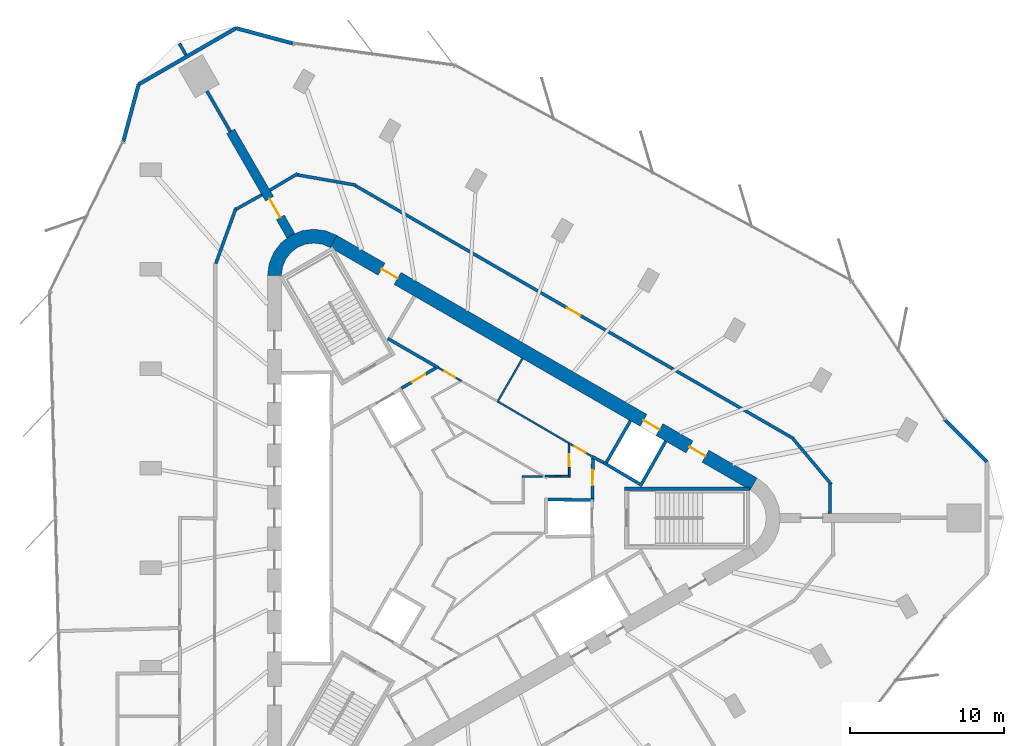
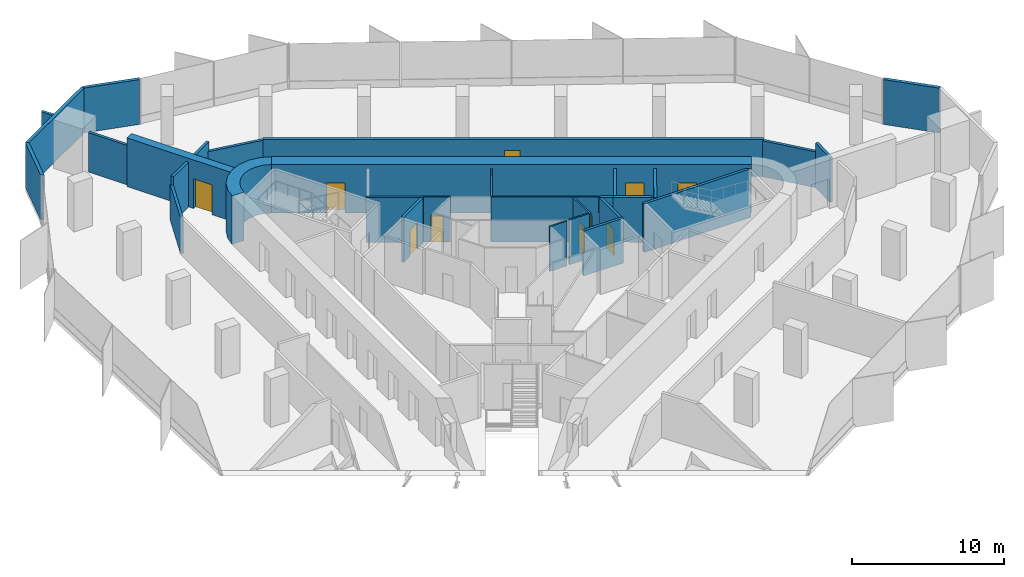
# One storey, part 10 of 12: 32 walls, 10 doors, 10 openings.
"""IFC4 building model written with IfcOpenShell, lengths in metres."""

from ifc_helpers import new_model, si_unit, direction, frame, frame_2d, origin, place, context, subcontext, project, spatial, polyline, rectangle, outline, extrude, material, layer, layer_set, type_object, element, fill, save


model = new_model("IFC4")

# Units and contexts
model_context = context("Model", 3, precision=1e-05, world=origin(), true_north=direction((0.0, 1.0)))
body_context = subcontext(model_context, "Body", "Model", "MODEL_VIEW")
ifc_project = project(units=[si_unit("LENGTHUNIT", "METRE"), si_unit("AREAUNIT", "SQUARE_METRE"), si_unit("VOLUMEUNIT", "CUBIC_METRE"), si_unit("PLANEANGLEUNIT", "RADIAN"), si_unit("MASSUNIT", "GRAM", prefix="KILO")], contexts=[model_context])

# Site, building, storey
site_placement = place(None, origin())
site = spatial("IfcSite", under=ifc_project, at=site_placement, CompositionType="ELEMENT")
building_placement = place(site_placement, origin())
building = spatial("IfcBuilding", under=site, at=building_placement, Name="Tanit Gate Tower", CompositionType="ELEMENT")
storey_placement = place(building_placement, frame((0.0, 0.0, 353.300048828125)))
storey = spatial("IfcBuildingStorey", under=building, at=storey_placement, Name="L80", CompositionType="ELEMENT", Elevation=353.300048828125)

# Wall, opening, door
ifc_material_1 = material(Name="Concrete C40/50", Category="concrete")
ifc_layer_1 = layer(ifc_material_1, 0.60009765625)
ifc_layer_set_1 = layer_set([ifc_layer_1], Name="BUTTRESS FIN 600 C40/50")
wall_type_1 = type_object("IfcWallType", Name="BUTTRESS FIN 600 C40/50", PredefinedType="SHEAR", material=ifc_layer_set_1)
wall_1_placement = place(storey_placement, frame((-10.574951171875, 18.31640625, 0.0), z_axis=(0.0, 0.0, 1.0), x_axis=(-0.500010354293, 0.866019425648, 0.0)))
wall_1 = element("IfcWall", 1, at=wall_1_placement, inside=storey, type_object=wall_type_1, Name="BUTTRESS FIN", PredefinedType="SHEAR", context=body_context, shape_type="SweptSolid", body=[
    extrude(rectangle(XDim=7.854248046875, YDim=0.60009765625, at=frame_2d((3.92724609375, 0.0))), origin(), (0.0, 0.0, 1.0), 3.89990234375),
])
opening_1_placement = place(wall_1_placement, frame((1.39990234375, 0.0, 0.0)))
opening_1 = element("IfcOpeningElement", 2, at=opening_1_placement, cuts=wall_1, Name="Opening P14-S22-F-NW-1", PredefinedType="OPENING", context=body_context, shape_type="SweptSolid", body=[
    extrude(rectangle(XDim=1.39990234375, YDim=2.39990234375, at=frame_2d((0.699951171875, 1.199951171875))), frame((0.0, 0.31005859375, 0.0), z_axis=(0.0, -1.0, 0.0), x_axis=(1.0, 0.0, 0.0)), (0.0, 0.0, 1.0), 0.6201171875),
])
ifc_material_2 = material(Name="Timber door leaf", Category="wood")
door_type_1 = type_object("IfcDoorType", Name="INT-DOOR-FIN-PAIR-1400", OperationType="NOTDEFINED", PredefinedType="NOTDEFINED", material=ifc_material_2)
door_1_placement = place(opening_1_placement, origin())
door_1 = element("IfcDoor", 3, at=door_1_placement, inside=storey, type_object=door_type_1, Name="Door P14-S22-F-NW-1", OperationType="DOUBLE_DOOR_SINGLE_SWING", OverallHeight=2.39990234375, OverallWidth=1.39990234375, PredefinedType="NOTDEFINED", context=body_context, shape_type="SweptSolid", body=[
    extrude(rectangle(XDim=1.39990234375, YDim=2.39990234375, at=frame_2d((0.699951171875, 1.199951171875))), frame((0.0, 0.02490234375, 0.0), z_axis=(0.0, -1.0, 0.0), x_axis=(1.0, 0.0, 0.0)), (0.0, 0.0, 1.0), 0.050048828125),
])
fill(opening_1, door_1)

# Wall, openings, doors
ifc_material_3 = material(Name="Concrete C40/50", Category="concrete")
ifc_layer_2 = layer(ifc_material_3, 0.89990234375)
ifc_layer_set_2 = layer_set([ifc_layer_2], Name="CORE WALL 900 C40/50")
wall_type_2 = type_object("IfcWallType", Name="CORE WALL 900 C40/50", PredefinedType="SHEAR", material=ifc_layer_set_2)
wall_2_placement = place(storey_placement, frame((19.47509765625, 2.20849609375, 0.0), z_axis=(0.0, 0.0, 1.0), x_axis=(-0.866028369851, 0.499994862586, 0.0)))
wall_2 = element("IfcWall", 4, at=wall_2_placement, inside=storey, type_object=wall_type_2, Name="CORE WALL", PredefinedType="SHEAR", context=body_context, shape_type="SweptSolid", body=[
    extrude(rectangle(XDim=31.523193359375, YDim=0.89990234375, at=frame_2d((15.76171875, 0.0))), origin(), (0.0, 0.0, 1.0), 3.89990234375),
])
opening_2_placement = place(wall_2_placement, frame((7.0615234375, 0.0, 0.0)))
opening_2 = element("IfcOpeningElement", 5, at=opening_2_placement, cuts=wall_2, Name="Opening LDHL8-S22", PredefinedType="OPENING", context=body_context, shape_type="SweptSolid", body=[
    extrude(rectangle(XDim=1.199951171875, YDim=2.39990234375, at=frame_2d((0.60009765625, 1.199951171875))), frame((0.0, 0.4599609375, 0.0), z_axis=(0.0, -1.0, 0.0), x_axis=(1.0, 0.0, 0.0)), (0.0, 0.0, 1.0), 0.919921875),
])
opening_3_placement = place(wall_2_placement, frame((3.611572265625, 0.0, 0.0)))
opening_3 = element("IfcOpeningElement", 6, at=opening_3_placement, cuts=wall_2, Name="Opening F12-S22-FL1", PredefinedType="OPENING", context=body_context, shape_type="SweptSolid", body=[
    extrude(rectangle(XDim=1.199951171875, YDim=2.39990234375, at=frame_2d((0.60009765625, 1.199951171875))), frame((0.0, 0.4599609375, 0.0), z_axis=(0.0, -1.0, 0.0), x_axis=(1.0, 0.0, 0.0)), (0.0, 0.0, 1.0), 0.919921875),
])
opening_4_placement = place(wall_2_placement, frame((26.711669921875, 0.0, 0.0)))
opening_4 = element("IfcOpeningElement", 7, at=opening_4_placement, cuts=wall_2, Name="Opening F12-S22-S2", PredefinedType="OPENING", context=body_context, shape_type="SweptSolid", body=[
    extrude(rectangle(XDim=1.199951171875, YDim=2.39990234375, at=frame_2d((0.60009765625, 1.199951171875))), frame((0.0, 0.4599609375, 0.0), z_axis=(0.0, -1.0, 0.0), x_axis=(1.0, 0.0, 0.0)), (0.0, 0.0, 1.0), 0.919921875),
])
ifc_material_4 = material(Name="Fire-rated steel door leaf", Category="steel")
door_type_2 = type_object("IfcDoorType", Name="INT-DOOR-FIRE-LOBBY-1200", OperationType="NOTDEFINED", PredefinedType="USERDEFINED", material=ifc_material_4)
door_2_placement = place(opening_3_placement, origin())
door_2 = element("IfcDoor", 8, at=door_2_placement, inside=storey, type_object=door_type_2, Name="Door F12-S22-FL1", ObjectType="FIRE DOOR", OperationType="SINGLE_SWING_LEFT", OverallHeight=2.39990234375, OverallWidth=1.199951171875, PredefinedType="USERDEFINED", context=body_context, shape_type="SweptSolid", body=[
    extrude(rectangle(XDim=1.199951171875, YDim=2.39990234375, at=frame_2d((0.60009765625, 1.199951171875))), frame((0.0, 0.02490234375, 0.0), z_axis=(0.0, -1.0, 0.0), x_axis=(1.0, 0.0, 0.0)), (0.0, 0.0, 1.0), 0.050048828125),
])
fill(opening_3, door_2)
door_3_placement = place(opening_4_placement, origin())
door_3 = element("IfcDoor", 9, at=door_3_placement, inside=storey, type_object=door_type_2, Name="Door F12-S22-S2", ObjectType="FIRE DOOR", OperationType="SINGLE_SWING_LEFT", OverallHeight=2.39990234375, OverallWidth=1.199951171875, PredefinedType="USERDEFINED", context=body_context, shape_type="SweptSolid", body=[
    extrude(rectangle(XDim=1.199951171875, YDim=2.39990234375, at=frame_2d((0.60009765625, 1.199951171875))), frame((0.0, 0.02490234375, 0.0), z_axis=(0.0, -1.0, 0.0), x_axis=(1.0, 0.0, 0.0)), (0.0, 0.0, 1.0), 0.050048828125),
])
fill(opening_4, door_3)
ifc_material_5 = material(Name="Stainless steel sliding door leaf", Category="steel")
door_type_3 = type_object("IfcDoorType", Name="INT-DOOR-LANDING-1200", OperationType="NOTDEFINED", PredefinedType="USERDEFINED", material=ifc_material_5)
door_4_placement = place(opening_2_placement, origin())
door_4 = element("IfcDoor", 10, at=door_4_placement, inside=storey, type_object=door_type_3, Name="Door LDHL8-S22", ObjectType="LANDING DOOR", OperationType="SLIDING_TO_LEFT", OverallHeight=2.39990234375, OverallWidth=1.199951171875, PredefinedType="USERDEFINED", context=body_context, shape_type="SweptSolid", body=[
    extrude(rectangle(XDim=1.199951171875, YDim=2.39990234375, at=frame_2d((0.60009765625, 1.199951171875))), frame((0.0, 0.02490234375, 0.0), z_axis=(0.0, -1.0, 0.0), x_axis=(1.0, 0.0, 0.0)), (0.0, 0.0, 1.0), 0.050048828125),
])
fill(opening_2, door_4)

# Walls
wall_3_placement = place(storey_placement, origin())
element("IfcWall", 11, at=wall_3_placement, inside=storey, type_object=wall_type_2, Name="CORE WALL CORNER", PredefinedType="SHEAR", context=body_context, shape_type="SweptSolid", body=[
    extrude(outline(polyline([(-7.60009765625, 18.359619140625), (-8.323486328125, 18.659423828125), (-9.10009765625, 18.76171875), (-9.87646484375, 18.659423828125), (-10.60009765625, 18.359619140625), (-11.22119140625, 17.883056640625), (-11.697998046875, 17.26171875), (-11.997802734375, 16.5380859375), (-12.10009765625, 15.76171875), (-11.199951171875, 15.76171875), (-11.12841796875, 16.30517578125), (-10.918701171875, 16.811767578125), (-10.5849609375, 17.24658203125), (-10.14990234375, 17.580322265625), (-9.6435546875, 17.7900390625), (-9.10009765625, 17.86181640625), (-8.556396484375, 17.7900390625), (-8.050048828125, 17.580322265625), (-7.60009765625, 18.359619140625)])), origin(), (0.0, 0.0, 1.0), 3.89990234375),
])
ifc_material_6 = material(Name="Concrete C30/37 with bronze anodised aluminium cladding", Category="concrete")
ifc_layer_3 = layer(ifc_material_6, 0.239990234375)
ifc_layer_set_3 = layer_set([ifc_layer_3], Name="Facade wall bronze clad 240")
wall_type_3 = type_object("IfcWallType", Name="Facade wall bronze clad 240", PredefinedType="SOLIDWALL", material=ifc_layer_set_3)
wall_4_placement = place(storey_placement, frame((-10.44921875, 30.833251953125, 0.0), z_axis=(0.0, 0.0, 1.0), x_axis=(-0.965924142325, 0.25882532966, 0.0)))
element("IfcWall", 12, at=wall_4_placement, inside=storey, type_object=wall_type_3, Name="Bronze-clad facade wall L80 NW.arc1", PredefinedType="SOLIDWALL", context=body_context, shape_type="SweptSolid", body=[
    extrude(rectangle(XDim=3.82861328125, YDim=0.239990234375, at=frame_2d((1.914306640625, 0.0))), origin(), (0.0, 0.0, 1.0), 3.599853515625),
])
wall_5_placement = place(storey_placement, frame((-14.1474609375, 31.82421875, 0.0), z_axis=(0.0, 0.0, 1.0), x_axis=(-0.86603229387, -0.499988065832, 0.0)))
element("IfcWall", 13, at=wall_5_placement, inside=storey, type_object=wall_type_3, Name="Bronze-clad facade wall L80 NW.arc2", PredefinedType="SOLIDWALL", context=body_context, shape_type="SweptSolid", body=[
    extrude(rectangle(XDim=7.320068359375, YDim=0.239990234375, at=frame_2d((3.66015625, 0.0))), origin(), (0.0, 0.0, 1.0), 3.599853515625),
])
for number, where, z_axis, x_axis, name in (
    (14, (-20.48681640625, 28.164306640625, 0.0), (0.0, 0.0, 1.0), (-0.258808255004, -0.965928717423, 0.0), "Bronze-clad facade wall L80 NW.arc3"),
    (15, (34.63427734375, 3.659912109375, 0.0), (0.0, 0.0, 1.0), (-0.707106781187, 0.707106781187, 0.0), "Bronze-clad facade wall L80 E.arc3"),
):
    element("IfcWall", number, at=place(storey_placement, frame(where, z_axis=z_axis, x_axis=x_axis)), inside=storey, type_object=wall_type_3, Name=name, PredefinedType="SOLIDWALL", context=body_context, shape_type="SweptSolid", body=[
        extrude(rectangle(XDim=3.832763671875, YDim=0.239990234375, at=frame_2d((1.91650390625, 0.0))), origin(), (0.0, 0.0, 1.0), 3.599853515625),
    ])
ifc_material_7 = material(Name="Fire-rated gypsum board partition")
ifc_layer_4 = layer(ifc_material_7, 0.199951171875)
ifc_layer_set_4 = layer_set([ifc_layer_4], Name="INT-WALL-COMPARTMENT")
wall_type_4 = type_object("IfcWallType", Name="INT-WALL-COMPARTMENT", PredefinedType="PARTITIONING", material=ifc_layer_set_4)
wall_6_placement = place(storey_placement, frame((8.97412109375, 3.998779296875, 0.0), z_axis=(0.0, 0.0, 1.0), x_axis=(0.880917147855, -0.473270513147, 0.0)))
element("IfcWall", 16, at=wall_6_placement, inside=storey, type_object=wall_type_4, Name="Wall Compartment W045", PredefinedType="PARTITIONING", context=body_context, shape_type="SweptSolid", body=[
    extrude(rectangle(XDim=0.8779296875, YDim=0.199951171875, at=frame_2d((0.43896484375, 0.0))), origin(), (0.0, 0.0, 1.0), 3.599853515625),
])
wall_7_placement = place(storey_placement, frame((-4.295654296875, 11.659912109375, 0.0), z_axis=(0.0, 0.0, 1.0), x_axis=(0.866027389382, -0.499996560828, 0.0)))
element("IfcWall", 17, at=wall_7_placement, inside=storey, type_object=wall_type_4, Name="Wall Compartment W048", PredefinedType="PARTITIONING", context=body_context, shape_type="SweptSolid", body=[
    extrude(rectangle(XDim=3.77783203125, YDim=0.199951171875, at=frame_2d((1.888916015625, 0.0))), origin(), (0.0, 0.0, 1.0), 3.599853515625),
])

# Wall, opening, door
wall_8_placement = place(storey_placement, frame((9.0009765625, 1.27001953125, 0.0), z_axis=(0.0, 0.0, 1.0), x_axis=(0.010723968736, 0.999942496594, 0.0)))
wall_8 = element("IfcWall", 18, at=wall_8_placement, inside=storey, type_object=wall_type_4, Name="Wall Compartment W063", PredefinedType="PARTITIONING", context=body_context, shape_type="SweptSolid", body=[
    extrude(rectangle(XDim=2.709228515625, YDim=0.199951171875, at=frame_2d((1.3544921875, 0.0))), origin(), (0.0, 0.0, 1.0), 3.599853515625),
])
opening_5_placement = place(wall_8_placement, frame((0.848388671875, 0.0, 0.0)))
opening_5 = element("IfcOpeningElement", 19, at=opening_5_placement, cuts=wall_8, Name="Opening F10-S22-02", PredefinedType="OPENING", context=body_context, shape_type="SweptSolid", body=[
    extrude(rectangle(XDim=1.0, YDim=2.10009765625, at=frame_2d((0.5, 1.050048828125))), frame((0.0, 0.10986328125, 0.0), z_axis=(0.0, -1.0, 0.0), x_axis=(1.0, 0.0, 0.0)), (0.0, 0.0, 1.0), 0.219970703125),
])
ifc_material_8 = material(Name="Fire-rated steel door leaf", Category="steel")
door_type_4 = type_object("IfcDoorType", Name="INT-DOOR-FIRE-1000", OperationType="NOTDEFINED", PredefinedType="USERDEFINED", material=ifc_material_8)
door_5_placement = place(opening_5_placement, origin())
door_5 = element("IfcDoor", 20, at=door_5_placement, inside=storey, type_object=door_type_4, Name="Door F10-S22-02", ObjectType="FIRE DOOR", OperationType="SINGLE_SWING_LEFT", OverallHeight=2.10009765625, OverallWidth=1.0, PredefinedType="USERDEFINED", context=body_context, shape_type="SweptSolid", body=[
    extrude(rectangle(XDim=1.0, YDim=2.10009765625, at=frame_2d((0.5, 1.050048828125))), frame((0.0, 0.02490234375, 0.0), z_axis=(0.0, -1.0, 0.0), x_axis=(1.0, 0.0, 0.0)), (0.0, 0.0, 1.0), 0.050048828125),
])
fill(opening_5, door_5)

wall_9_placement = place(storey_placement, frame((-1.1787109375, 9.744873046875, 0.0), z_axis=(0.0, 0.0, 1.0), x_axis=(-0.860630814782, -0.509229418482, 0.0)))
wall_9 = element("IfcWall", 21, at=wall_9_placement, inside=storey, type_object=wall_type_4, Name="Wall Compartment W065", PredefinedType="PARTITIONING", context=body_context, shape_type="SweptSolid", body=[
    extrude(rectangle(XDim=2.581787109375, YDim=0.199951171875, at=frame_2d((1.291015625, 0.0))), origin(), (0.0, 0.0, 1.0), 3.599853515625),
])
opening_6_placement = place(wall_9_placement, frame((0.791015625, 0.0, 0.0)))
opening_6 = element("IfcOpeningElement", 22, at=opening_6_placement, cuts=wall_9, Name="Opening F10-S22-05", PredefinedType="OPENING", context=body_context, shape_type="SweptSolid", body=[
    extrude(rectangle(XDim=1.0, YDim=2.10009765625, at=frame_2d((0.5, 1.050048828125))), frame((0.0, 0.10986328125, 0.0), z_axis=(0.0, -1.0, 0.0), x_axis=(1.0, 0.0, 0.0)), (0.0, 0.0, 1.0), 0.219970703125),
])
door_6_placement = place(opening_6_placement, origin())
door_6 = element("IfcDoor", 23, at=door_6_placement, inside=storey, type_object=door_type_4, Name="Door F10-S22-05", ObjectType="FIRE DOOR", OperationType="SINGLE_SWING_RIGHT", OverallHeight=2.10009765625, OverallWidth=1.0, PredefinedType="USERDEFINED", context=body_context, shape_type="SweptSolid", body=[
    extrude(rectangle(XDim=1.0, YDim=2.10009765625, at=frame_2d((0.5, 1.050048828125))), frame((0.0, 0.02490234375, 0.0), z_axis=(0.0, -1.0, 0.0), x_axis=(1.0, 0.0, 0.0)), (0.0, 0.0, 1.0), 0.050048828125),
])
fill(opening_6, door_6)

# Walls
wall_10_placement = place(storey_placement, frame((-14.15234375, 20.143310546875, 0.0), z_axis=(0.0, 0.0, 1.0), x_axis=(-0.342008467257, -0.939696870445, 0.0)))
element("IfcWall", 24, at=wall_10_placement, inside=storey, type_object=wall_type_4, Name="Wall Compartment W103", PredefinedType="PARTITIONING", context=body_context, shape_type="SweptSolid", body=[
    extrude(rectangle(XDim=3.840576171875, YDim=0.199951171875, at=frame_2d((1.92041015625, 0.0))), origin(), (0.0, 0.0, 1.0), 2.8798828125),
])
wall_11_placement = place(storey_placement, frame((-12.469970703125, 20.99853515625, 0.0), z_axis=(0.0, 0.0, 1.0), x_axis=(-0.872542788959, -0.488537697046, 0.0)))
element("IfcWall", 25, at=wall_11_placement, inside=storey, type_object=wall_type_4, Name="Wall Compartment W104", PredefinedType="PARTITIONING", context=body_context, shape_type="SweptSolid", body=[
    extrude(rectangle(XDim=1.924560546875, YDim=0.199951171875, at=frame_2d((0.96240234375, 0.0))), origin(), (0.0, 0.0, 1.0), 3.599853515625),
])
wall_12_placement = place(storey_placement, frame((-10.154541015625, 22.3671875, 0.0), z_axis=(0.0, 0.0, 1.0), x_axis=(-0.859343009577, -0.511399640097, 0.0)))
element("IfcWall", 26, at=wall_12_placement, inside=storey, type_object=wall_type_4, Name="Wall Compartment W105", PredefinedType="PARTITIONING", context=body_context, shape_type="SweptSolid", body=[
    extrude(rectangle(XDim=2.089599609375, YDim=0.199951171875, at=frame_2d((1.044921875, 0.0))), origin(), (0.0, 0.0, 1.0), 3.599853515625),
])
wall_13_placement = place(storey_placement, frame((-6.389404296875, 21.626220703125, 0.0), z_axis=(0.0, 0.0, 1.0), x_axis=(-0.984802578286, 0.173677522442, 0.0)))
element("IfcWall", 27, at=wall_13_placement, inside=storey, type_object=wall_type_4, Name="Wall Compartment W106", PredefinedType="PARTITIONING", context=body_context, shape_type="SweptSolid", body=[
    extrude(rectangle(XDim=3.87548828125, YDim=0.199951171875, at=frame_2d((1.937744140625, 0.0))), origin(), (0.0, 0.0, 1.0), 2.8798828125),
])

# Wall, opening, door
wall_14_placement = place(storey_placement, frame((22.074462890625, 5.153076171875, 0.0), z_axis=(0.0, 0.0, 1.0), x_axis=(-0.866023485483, 0.500003322581, 0.0)))
wall_14 = element("IfcWall", 28, at=wall_14_placement, inside=storey, type_object=wall_type_4, Name="Wall Compartment W107", PredefinedType="PARTITIONING", context=body_context, shape_type="SweptSolid", body=[
    extrude(rectangle(XDim=32.881103515625, YDim=0.199951171875, at=frame_2d((16.4404296875, 0.0))), origin(), (0.0, 0.0, 1.0), 2.969970703125),
])
opening_7_placement = place(wall_14_placement, frame((15.990478515625, 0.0, 0.0)))
opening_7 = element("IfcOpeningElement", 29, at=opening_7_placement, cuts=wall_14, Name="Opening F10-S22-28", PredefinedType="OPENING", context=body_context, shape_type="SweptSolid", body=[
    extrude(rectangle(XDim=1.0, YDim=2.10009765625, at=frame_2d((0.5, 1.050048828125))), frame((0.0, 0.10986328125, 0.0), z_axis=(0.0, -1.0, 0.0), x_axis=(1.0, 0.0, 0.0)), (0.0, 0.0, 1.0), 0.219970703125),
])
door_7_placement = place(opening_7_placement, origin())
door_7 = element("IfcDoor", 30, at=door_7_placement, inside=storey, type_object=door_type_4, Name="Door F10-S22-28", ObjectType="FIRE DOOR", OperationType="SINGLE_SWING_RIGHT", OverallHeight=2.10009765625, OverallWidth=1.0, PredefinedType="USERDEFINED", context=body_context, shape_type="SweptSolid", body=[
    extrude(rectangle(XDim=1.0, YDim=2.10009765625, at=frame_2d((0.5, 1.050048828125))), frame((0.0, 0.02490234375, 0.0), z_axis=(0.0, -1.0, 0.0), x_axis=(1.0, 0.0, 0.0)), (0.0, 0.0, 1.0), 0.050048828125),
])
fill(opening_7, door_7)

# Walls
wall_15_placement = place(storey_placement, frame((24.520751953125, 2.1845703125, 0.0), z_axis=(0.0, 0.0, 1.0), x_axis=(-0.642781993054, 0.766049155998, 0.0)))
element("IfcWall", 31, at=wall_15_placement, inside=storey, type_object=wall_type_4, Name="Wall Compartment W108", PredefinedType="PARTITIONING", context=body_context, shape_type="SweptSolid", body=[
    extrude(rectangle(XDim=3.84033203125, YDim=0.199951171875, at=frame_2d((1.920166015625, 0.0))), origin(), (0.0, 0.0, 1.0), 2.8798828125),
])
wall_16_placement = place(storey_placement, frame((24.420166015625, 0.300048828125, 0.0), z_axis=(0.0, 0.0, 1.0), x_axis=(0.013193472226, 0.999912962358, 0.0)))
element("IfcWall", 32, at=wall_16_placement, inside=storey, type_object=wall_type_4, Name="Wall Compartment W109", PredefinedType="PARTITIONING", context=body_context, shape_type="SweptSolid", body=[
    extrude(rectangle(XDim=1.924560546875, YDim=0.199951171875, at=frame_2d((0.96240234375, 0.0))), origin(), (0.0, 0.0, 1.0), 3.599853515625),
])
wall_17_placement = place(storey_placement, frame((-17.82958984375, 30.821533203125, 0.0), z_axis=(0.0, 0.0, 1.0), x_axis=(0.500234662275, -0.86588987906, 0.0)))
element("IfcWall", 33, at=wall_17_placement, inside=storey, type_object=wall_type_4, Name="Wall Compartment W129", PredefinedType="PARTITIONING", context=body_context, shape_type="SweptSolid", body=[
    extrude(rectangle(XDim=0.8525390625, YDim=0.199951171875, at=frame_2d((0.42626953125, 0.0))), origin(), (0.0, 0.0, 1.0), 3.599853515625),
])
wall_18_placement = place(storey_placement, frame((-16.045654296875, 27.73193359375, 0.0), z_axis=(0.0, 0.0, 1.0), x_axis=(0.500014901547, -0.866016800201, 0.0)))
element("IfcWall", 34, at=wall_18_placement, inside=storey, type_object=wall_type_4, Name="Wall Compartment W130", PredefinedType="PARTITIONING", context=body_context, shape_type="SweptSolid", body=[
    extrude(rectangle(XDim=3.03515625, YDim=0.199951171875, at=frame_2d((1.517578125, 0.0))), origin(), (0.0, 0.0, 1.0), 3.169921875),
])
ifc_material_9 = material(Name="Gypsum board partition")
ifc_layer_5 = layer(ifc_material_9, 0.1201171875)
ifc_layer_set_5 = layer_set([ifc_layer_5], Name="INT-WALL-PARTITION")
wall_type_5 = type_object("IfcWallType", Name="INT-WALL-PARTITION", PredefinedType="PARTITIONING", material=ifc_layer_set_5)
wall_19_placement = place(storey_placement, frame((4.456787109375, 10.359375, 0.0), z_axis=(0.0, 0.0, 1.0), x_axis=(-0.500017246033, -0.866015446554, 0.0)))
element("IfcWall", 35, at=wall_19_placement, inside=storey, type_object=wall_type_5, Name="Wall Partition W044", PredefinedType="PARTITIONING", context=body_context, shape_type="SweptSolid", body=[
    extrude(rectangle(XDim=3.25, YDim=0.1201171875, at=frame_2d((1.625, 0.0))), origin(), (0.0, 0.0, 1.0), 3.599853515625),
])
wall_20_placement = place(storey_placement, frame((2.82080078125, 7.5859375, 0.0), z_axis=(0.0, 0.0, 1.0), x_axis=(0.863262357411, -0.504755487615, 0.0)))
element("IfcWall", 36, at=wall_20_placement, inside=storey, type_object=wall_type_5, Name="Wall Partition W046", PredefinedType="PARTITIONING", context=body_context, shape_type="SweptSolid", body=[
    extrude(rectangle(XDim=5.370361328125, YDim=0.1201171875, at=frame_2d((2.68505859375, 0.0))), origin(), (0.0, 0.0, 1.0), 3.599853515625),
])

# Wall, opening, door
wall_21_placement = place(storey_placement, frame((-1.02392578125, 9.77099609375, 0.0), z_axis=(0.0, 0.0, 1.0), x_axis=(0.866039397417, -0.499975761534, 0.0)))
wall_21 = element("IfcWall", 37, at=wall_21_placement, inside=storey, type_object=wall_type_5, Name="Wall Partition W051", PredefinedType="PARTITIONING", context=body_context, shape_type="SweptSolid", body=[
    extrude(rectangle(XDim=1.751953125, YDim=0.1201171875, at=frame_2d((0.8759765625, 0.0))), origin(), (0.0, 0.0, 1.0), 3.599853515625),
])
opening_8_placement = place(wall_21_placement, frame((0.4658203125, 0.0, 0.0)))
opening_8 = element("IfcOpeningElement", 38, at=opening_8_placement, cuts=wall_21, Name="Opening R08-S22-16", PredefinedType="OPENING", context=body_context, shape_type="SweptSolid", body=[
    extrude(rectangle(XDim=0.800048828125, YDim=2.10009765625, at=frame_2d((0.39990234375, 1.050048828125))), frame((0.0, 0.070068359375, 0.0), z_axis=(0.0, -1.0, 0.0), x_axis=(1.0, 0.0, 0.0)), (0.0, 0.0, 1.0), 0.14013671875),
])
ifc_material_10 = material(Name="Timber door leaf", Category="wood")
door_type_5 = type_object("IfcDoorType", Name="INT-DOOR-RISER-800", OperationType="NOTDEFINED", PredefinedType="USERDEFINED", material=ifc_material_10)
door_8_placement = place(opening_8_placement, origin())
door_8 = element("IfcDoor", 39, at=door_8_placement, inside=storey, type_object=door_type_5, Name="Door R08-S22-16", ObjectType="FIRE DOOR", OperationType="SINGLE_SWING_RIGHT", OverallHeight=2.10009765625, OverallWidth=0.800048828125, PredefinedType="USERDEFINED", context=body_context, shape_type="SweptSolid", body=[
    extrude(rectangle(XDim=0.800048828125, YDim=2.10009765625, at=frame_2d((0.39990234375, 1.050048828125))), frame((0.0, 0.02490234375, 0.0), z_axis=(0.0, -1.0, 0.0), x_axis=(1.0, 0.0, 0.0)), (0.0, 0.0, 1.0), 0.050048828125),
])
fill(opening_8, door_8)

wall_22_placement = place(storey_placement, frame((7.45654296875, 4.874755859375, 0.0), z_axis=(0.0, 0.0, 1.0), x_axis=(0.866027945518, -0.499995597562, 0.0)))
wall_22 = element("IfcWall", 40, at=wall_22_placement, inside=storey, type_object=wall_type_5, Name="Wall Partition W047", PredefinedType="PARTITIONING", context=body_context, shape_type="SweptSolid", body=[
    extrude(rectangle(XDim=1.7021484375, YDim=0.1201171875, at=frame_2d((0.85107421875, 0.0))), origin(), (0.0, 0.0, 1.0), 3.599853515625),
])
opening_9_placement = place(wall_22_placement, frame((0.461181640625, 0.0, 0.0)))
opening_9 = element("IfcOpeningElement", 41, at=opening_9_placement, cuts=wall_22, Name="Opening R08-S22-15", PredefinedType="OPENING", context=body_context, shape_type="SweptSolid", body=[
    extrude(rectangle(XDim=0.800048828125, YDim=2.10009765625, at=frame_2d((0.39990234375, 1.050048828125))), frame((0.0, 0.070068359375, 0.0), z_axis=(0.0, -1.0, 0.0), x_axis=(1.0, 0.0, 0.0)), (0.0, 0.0, 1.0), 0.14013671875),
])
door_9_placement = place(opening_9_placement, origin())
door_9 = element("IfcDoor", 42, at=door_9_placement, inside=storey, type_object=door_type_5, Name="Door R08-S22-15", ObjectType="FIRE DOOR", OperationType="SINGLE_SWING_LEFT", OverallHeight=2.10009765625, OverallWidth=0.800048828125, PredefinedType="USERDEFINED", context=body_context, shape_type="SweptSolid", body=[
    extrude(rectangle(XDim=0.800048828125, YDim=2.10009765625, at=frame_2d((0.39990234375, 1.050048828125))), frame((0.0, 0.02490234375, 0.0), z_axis=(0.0, -1.0, 0.0), x_axis=(1.0, 0.0, 0.0)), (0.0, 0.0, 1.0), 0.050048828125),
])
fill(opening_9, door_9)

# Wall
wall_23_placement = place(storey_placement, frame((4.43994140625, 2.699951171875, 0.0), z_axis=(0.0, 0.0, 1.0), x_axis=(1.0, 0.0, 0.0)))
element("IfcWall", 43, at=wall_23_placement, inside=storey, type_object=wall_type_5, Name="Wall Partition W080", PredefinedType="PARTITIONING", context=body_context, shape_type="SweptSolid", body=[
    extrude(rectangle(XDim=1.301513671875, YDim=0.1201171875, at=frame_2d((0.65087890625, 0.0))), origin(), (0.0, 0.0, 1.0), 3.599853515625),
])

# Wall, opening, door
wall_24_placement = place(storey_placement, frame((7.500732421875, 2.639892578125, 0.0), z_axis=(0.0, 0.0, 1.0), x_axis=(-0.01178388431, 0.999930567625, 0.0)))
wall_24 = element("IfcWall", 44, at=wall_24_placement, inside=storey, type_object=wall_type_5, Name="Wall Partition W089", PredefinedType="PARTITIONING", context=body_context, shape_type="SweptSolid", body=[
    extrude(rectangle(XDim=2.15478515625, YDim=0.1201171875, at=frame_2d((1.077392578125, 0.0))), origin(), (0.0, 0.0, 1.0), 3.599853515625),
])
opening_10_placement = place(wall_24_placement, frame((0.707275390625, 0.0, 0.0)))
opening_10 = element("IfcOpeningElement", 45, at=opening_10_placement, cuts=wall_24, Name="Opening R08-S22-14", PredefinedType="OPENING", context=body_context, shape_type="SweptSolid", body=[
    extrude(rectangle(XDim=0.800048828125, YDim=2.10009765625, at=frame_2d((0.39990234375, 1.050048828125))), frame((0.0, 0.070068359375, 0.0), z_axis=(0.0, -1.0, 0.0), x_axis=(1.0, 0.0, 0.0)), (0.0, 0.0, 1.0), 0.14013671875),
])
door_10_placement = place(opening_10_placement, origin())
door_10 = element("IfcDoor", 46, at=door_10_placement, inside=storey, type_object=door_type_5, Name="Door R08-S22-14", ObjectType="FIRE DOOR", OperationType="SINGLE_SWING_LEFT", OverallHeight=2.10009765625, OverallWidth=0.800048828125, PredefinedType="USERDEFINED", context=body_context, shape_type="SweptSolid", body=[
    extrude(rectangle(XDim=0.800048828125, YDim=2.10009765625, at=frame_2d((0.39990234375, 1.050048828125))), frame((0.0, 0.02490234375, 0.0), z_axis=(0.0, -1.0, 0.0), x_axis=(1.0, 0.0, 0.0)), (0.0, 0.0, 1.0), 0.050048828125),
])
fill(opening_10, door_10)

# Walls
wall_25_placement = place(storey_placement, frame((5.93408203125, 2.727294921875, 0.0), z_axis=(0.0, 0.0, 1.0), x_axis=(0.999846739959, -0.017507044085, 0.0)))
element("IfcWall", 47, at=wall_25_placement, inside=storey, type_object=wall_type_5, Name="Wall Partition W090", PredefinedType="PARTITIONING", context=body_context, shape_type="SweptSolid", body=[
    extrude(rectangle(XDim=1.506103515625, YDim=0.1201171875, at=frame_2d((0.7529296875, 0.0))), origin(), (0.0, 0.0, 1.0), 3.599853515625),
])
ifc_material_11 = material(Name="Gypsum shaft wall system")
ifc_layer_6 = layer(ifc_material_11, 0.199951171875)
ifc_layer_set_6 = layer_set([ifc_layer_6], Name="INT-WALL-SHAFT")
wall_type_6 = type_object("IfcWallType", Name="INT-WALL-SHAFT", PredefinedType="PLUMBINGWALL", material=ifc_layer_set_6)
wall_26_placement = place(storey_placement, frame((9.8466796875, 3.494873046875, 0.0), z_axis=(0.0, 0.0, 1.0), x_axis=(0.499984717929, 0.866034226713, 0.0)))
element("IfcWall", 48, at=wall_26_placement, inside=storey, type_object=wall_type_6, Name="Wall Shaft W012", PredefinedType="PLUMBINGWALL", context=body_context, shape_type="SweptSolid", body=[
    extrude(rectangle(XDim=3.25, YDim=0.199951171875, at=frame_2d((1.625, 0.0))), origin(), (0.0, 0.0, 1.0), 3.599853515625),
])
wall_27_placement = place(storey_placement, frame((12.10986328125, 2.07275390625, 0.0), z_axis=(0.0, 0.0, 1.0), x_axis=(0.49196600604, 0.870614408852, 0.0)))
element("IfcWall", 49, at=wall_27_placement, inside=storey, type_object=wall_type_6, Name="Wall Shaft W013", PredefinedType="PLUMBINGWALL", context=body_context, shape_type="SweptSolid", body=[
    extrude(rectangle(XDim=3.35009765625, YDim=0.199951171875, at=frame_2d((1.675048828125, 0.0))), origin(), (0.0, 0.0, 1.0), 3.599853515625),
])
wall_28_placement = place(storey_placement, frame((12.072998046875, 2.2109375, 0.0), z_axis=(0.0, 0.0, 1.0), x_axis=(-0.860414880418, 0.509594185166, 0.0)))
element("IfcWall", 50, at=wall_28_placement, inside=storey, type_object=wall_type_6, Name="Wall Shaft W014", PredefinedType="PLUMBINGWALL", context=body_context, shape_type="SweptSolid", body=[
    extrude(rectangle(XDim=2.7001953125, YDim=0.199951171875, at=frame_2d((1.35009765625, 0.0))), origin(), (0.0, 0.0, 1.0), 3.599853515625),
])
wall_29_placement = place(storey_placement, frame((9.10009765625, 1.1689453125, 0.0), z_axis=(0.0, 0.0, 1.0), x_axis=(-0.99994990606, 0.010009264196, 0.0)))
element("IfcWall", 51, at=wall_29_placement, inside=storey, type_object=wall_type_6, Name="Wall Shaft W027", PredefinedType="PLUMBINGWALL", context=body_context, shape_type="SweptSolid", body=[
    extrude(rectangle(XDim=3.000244140625, YDim=0.199951171875, at=frame_2d((1.5, 0.0))), origin(), (0.0, 0.0, 1.0), 3.599853515625),
])
ifc_material_12 = material(Name="Concrete C40/50", Category="concrete")
ifc_layer_7 = layer(ifc_material_12, 0.199951171875)
ifc_layer_set_7 = layer_set([ifc_layer_7], Name="INT-WALL-STAIR")
wall_type_7 = type_object("IfcWallType", Name="INT-WALL-STAIR", PredefinedType="SHEAR", material=ifc_layer_set_7)
wall_30_placement = place(storey_placement, frame((19.199951171875, 1.89990234375, -0.300048828125), z_axis=(0.0, 0.0, 1.0), x_axis=(-1.0, 0.0, 0.0)))
element("IfcWall", 52, at=wall_30_placement, inside=storey, type_object=wall_type_7, Name="Wall Stair W020", PredefinedType="SHEAR", context=body_context, shape_type="SweptSolid", body=[
    extrude(rectangle(XDim=8.099853515625, YDim=0.199951171875, at=frame_2d((4.0498046875, 0.0))), origin(), (0.0, 0.0, 1.0), 3.89990234375),
])

save(model, "model.ifc")
